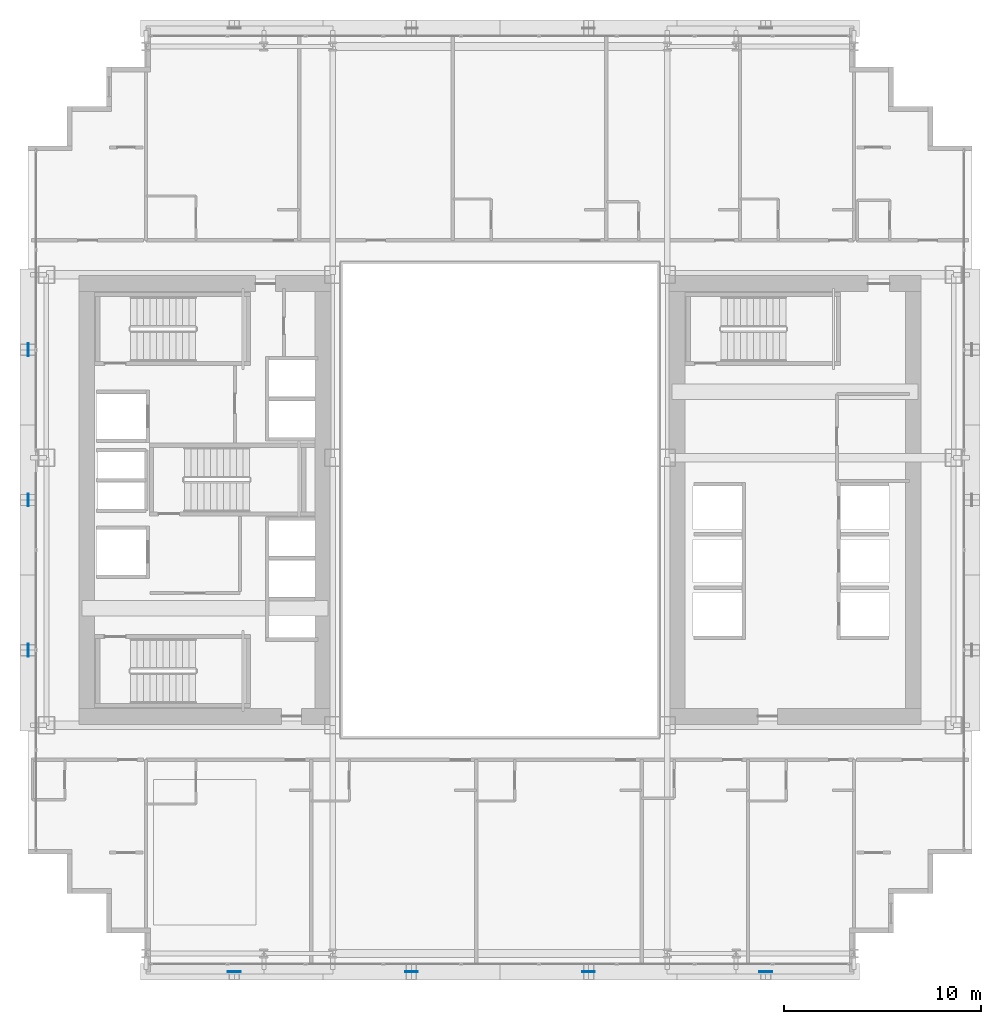
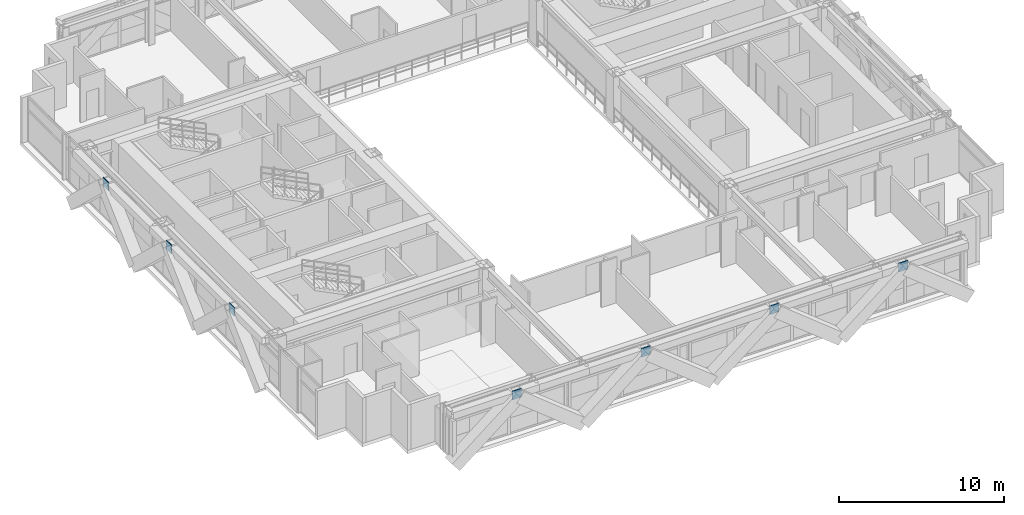
# One storey, part 25 of 35: 7 plates.
"""IFC4 building model written with IfcOpenShell, lengths in metres."""

from ifc_helpers import new_model, si_unit, direction, frame, origin, origin_2d, place, context, subcontext, project, spatial, rectangle, extrude, source, transform, mapped, material, layer, layer_set, type_object, element, save


model = new_model("IFC4")

# Units and contexts
model_context = context("Model", 3, precision=1e-05, world=origin(), true_north=direction((0.0, 1.0)))
body_context = subcontext(model_context, "Body", "Model", "MODEL_VIEW")
ifc_project = project(units=[si_unit("LENGTHUNIT", "METRE"), si_unit("AREAUNIT", "SQUARE_METRE"), si_unit("VOLUMEUNIT", "CUBIC_METRE"), si_unit("PLANEANGLEUNIT", "RADIAN"), si_unit("MASSUNIT", "GRAM", prefix="KILO")], contexts=[model_context])

# Site, building, storey
site_placement = place(None, origin())
site = spatial("IfcSite", under=ifc_project, at=site_placement, CompositionType="ELEMENT")
building_placement = place(site_placement, origin())
building = spatial("IfcBuilding", under=site, at=building_placement, Name="Ocotamira Hotel", CompositionType="ELEMENT")
storey_placement = place(building_placement, frame((0.0, 0.0, 56.39990234375)))
storey = spatial("IfcBuildingStorey", under=building, at=storey_placement, Name="L13", CompositionType="ELEMENT", Elevation=56.39990234375)

# Plates
ifc_material = material(Name="Pale-metal coated steel ASTM A572 Grade 50", Category="steel")
ifc_layer = layer(ifc_material, 0.0400390625)
ifc_layer_set = layer_set([ifc_layer], Name="Pale-metal coated steel ASTM A572 Grade 50")
plate_type = type_object("IfcPlateType", Name="PLT-GUSSET-40", PredefinedType="SHEET", material=ifc_layer_set)
shared_shape_1 = source(origin(), body_context, "Body", "SweptSolid", [
    extrude(rectangle(XDim=0.64990234375, YDim=0.0400390625, at=origin_2d()), origin(), (0.0, 0.0, 1.0), 0.64990234375),
])
for number, where, z_axis, x_axis, name in (
    (1, (18.5, 2.030029296875, 2.775146484375), (0.0, 0.0, 1.0), (1.0, 0.0, 0.0), "L13 Exoskeleton Diagrid S0.1 End Gusset B"),
    (2, (27.5, 2.030029296875, 2.775146484375), (0.0, 0.0, 1.0), (1.0, 0.0, 0.0), "L13 Exoskeleton Diagrid S1.1 End Gusset B"),
    (3, (36.5, 2.030029296875, 2.775146484375), (0.0, 0.0, 1.0), (1.0, 0.0, 0.0), "L13 Exoskeleton Diagrid S2.1 End Gusset B"),
    (4, (45.5, 2.030029296875, 2.775146484375), (0.0, 0.0, 1.0), (1.0, 0.0, 0.0), "L13 Exoskeleton Diagrid S3.1 End Gusset B"),
):
    element("IfcPlate", number, at=place(storey_placement, frame(where, z_axis=z_axis, x_axis=x_axis)), inside=storey, type_object=plate_type, Name=name, PredefinedType="SHEET", context=body_context, shape_type="MappedRepresentation", body=[
        mapped(shared_shape_1, transform((0.0, 0.0, 0.0), scale=1.0)),
    ])
shared_shape_2 = source(origin(), body_context, "Body", "SweptSolid", [
    extrude(rectangle(XDim=0.0400390625, YDim=0.64990234375, at=origin_2d()), origin(), (0.0, 0.0, 1.0), 0.64990234375),
])
for number, where, z_axis, x_axis, name in (
    (5, (8.030029296875, 18.36669921875, 2.775146484375), (0.0, 0.0, 1.0), (1.0, 0.0, 0.0), "L13 Exoskeleton Diagrid W0.1 End Gusset B"),
    (6, (8.030029296875, 26.0, 2.775146484375), (0.0, 0.0, 1.0), (1.0, 0.0, 0.0), "L13 Exoskeleton Diagrid W1.1 End Gusset B"),
    (7, (8.030029296875, 33.63330078125, 2.775146484375), (0.0, 0.0, 1.0), (1.0, 0.0, 0.0), "L13 Exoskeleton Diagrid W2.1 End Gusset B"),
):
    element("IfcPlate", number, at=place(storey_placement, frame(where, z_axis=z_axis, x_axis=x_axis)), inside=storey, type_object=plate_type, Name=name, PredefinedType="SHEET", context=body_context, shape_type="MappedRepresentation", body=[
        mapped(shared_shape_2, transform((0.0, 0.0, 0.0), scale=1.0)),
    ])

save(model, "model.ifc")
